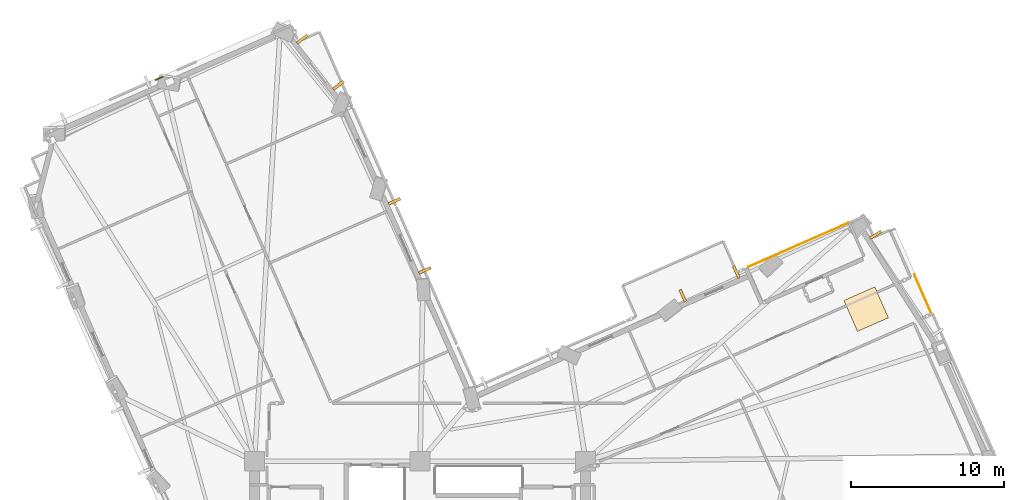
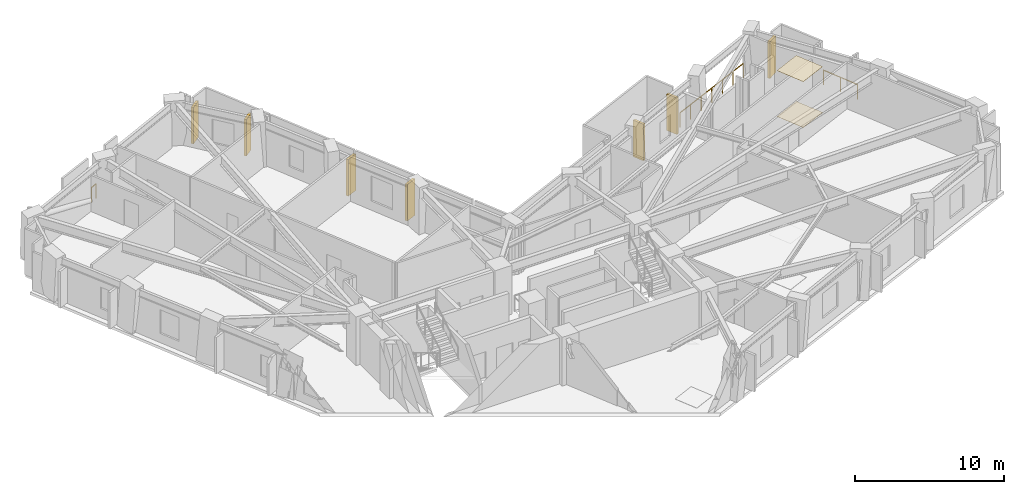
# One storey, part 14 of 15: 7 shading devices, 3 railings, 2 coverings.
"""IFC4 building model written with IfcOpenShell, lengths in metres."""

from ifc_helpers import new_model, si_unit, direction, frame, origin, origin_2d, place, context, subcontext, project, spatial, rectangle, circle, extrude, material, layer, layer_set, type_object, element, save


model = new_model("IFC4")

# Units and contexts
model_context = context("Model", 3, precision=1e-05, world=origin(), true_north=direction((0.0, 1.0)))
body_context = subcontext(model_context, "Body", "Model", "MODEL_VIEW")
ifc_project = project(units=[si_unit("LENGTHUNIT", "METRE"), si_unit("AREAUNIT", "SQUARE_METRE"), si_unit("VOLUMEUNIT", "CUBIC_METRE"), si_unit("PLANEANGLEUNIT", "RADIAN"), si_unit("MASSUNIT", "GRAM", prefix="KILO")], contexts=[model_context])

# Site, building, storey
site_placement = place(None, origin())
site = spatial("IfcSite", under=ifc_project, at=site_placement, CompositionType="ELEMENT")
building_placement = place(site_placement, origin())
building = spatial("IfcBuilding", under=site, at=building_placement, Name="Gaonmaruhae Medical Tower", CompositionType="ELEMENT")
storey_placement = place(building_placement, frame((0.0, 0.0, 124.39990234375)))
storey = spatial("IfcBuildingStorey", under=building, at=storey_placement, Name="L29", CompositionType="ELEMENT", Elevation=124.39990234375)

# Coverings
ifc_material_1 = material(Name="Acoustic mineral ceiling tile", Category="finish")
ifc_layer_1 = layer(ifc_material_1, 0.02490234375)
ifc_layer_set_1 = layer_set([ifc_layer_1], Name="Acoustic mineral ceiling tile")
covering_type_1 = type_object("IfcCoveringType", Name="CLG-01 Antimicrobial Acoustic Mineral Ceiling", PredefinedType="CEILING", material=ifc_layer_set_1)
covering_1_placement = place(storey_placement, frame((53.888671875, 26.721435546875, 3.755126953125), z_axis=(0.0, 0.0, 1.0), x_axis=(0.915311479119, 0.402746689859, 0.0)))
element("IfcCovering", 1, at=covering_1_placement, inside=storey, type_object=covering_type_1, Name="L29 Clinical Corridor Acoustic Ceiling", PredefinedType="CEILING", context=body_context, shape_type="SweptSolid", body=[
    extrude(rectangle(XDim=2.199951171875, YDim=2.199951171875, at=origin_2d()), origin(), (0.0, 0.0, 1.0), 0.02490234375),
])
ifc_material_2 = material(Name="Seamless clinical vinyl flooring", Category="finish")
ifc_layer_2 = layer(ifc_material_2, 0.014892578125)
ifc_layer_set_2 = layer_set([ifc_layer_2], Name="Seamless clinical vinyl flooring")
covering_type_2 = type_object("IfcCoveringType", Name="FLR-01 Seamless Clinical Antistatic Vinyl Flooring", PredefinedType="FLOORING", material=ifc_layer_set_2)
covering_2_placement = place(storey_placement, frame((53.888671875, 26.721435546875, 0.00048828125), z_axis=(0.0, 0.0, 1.0), x_axis=(0.915311479119, 0.402746689859, 0.0)))
element("IfcCovering", 2, at=covering_2_placement, inside=storey, type_object=covering_type_2, Name="L29 Clinical Corridor Vinyl Flooring", PredefinedType="FLOORING", context=body_context, shape_type="SweptSolid", body=[
    extrude(rectangle(XDim=2.199951171875, YDim=2.199951171875, at=origin_2d()), origin(), (0.0, 0.0, 1.0), 0.014892578125),
])

# Railings
ifc_material_3 = material(Name="Stainless steel 316L and laminated safety glass", Category="steel")
ifc_layer_3 = layer(ifc_material_3, 0.080078125)
ifc_layer_set_3 = layer_set([ifc_layer_3], Name="Stainless steel 316L and laminated safety glass")
railing_type = type_object("IfcRailingType", Name="GD-120 Outdoor Terrace Safety Glass & Steel Balustrade", PredefinedType="BALUSTRADE", material=ifc_layer_set_3)
railing_1_placement = place(storey_placement, frame((52.777587890625, 32.3642578125, 0.0)))
element("IfcRailing", 3, at=railing_1_placement, inside=storey, type_object=railing_type, Name="L29 Terrace Safety Guard RL-SLB-L29-TER-03", PredefinedType="BALUSTRADE", context=body_context, shape_type="SweptSolid", body=[
    extrude(circle(Radius=0.02392578125, at=origin_2d()), frame((0.0, 0.0, 1.17578125), z_axis=(-0.915314032413, -0.402740887007, 0.0), x_axis=(0.402740887007, -0.915314032413, 0.0)), (0.0, 0.0, 1.0), 7.19970703125),
    extrude(circle(Radius=0.02099609375, at=origin_2d()), origin(), (0.0, 0.0, 1.0), 1.15185546875),
    extrude(circle(Radius=0.02099609375, at=origin_2d()), frame((-1.098388671875, -0.4833984375, 0.0)), (0.0, 0.0, 1.0), 1.15185546875),
    extrude(circle(Radius=0.02099609375, at=origin_2d()), frame((-2.19677734375, -0.966552734375, 0.0)), (0.0, 0.0, 1.0), 1.15185546875),
    extrude(circle(Radius=0.02099609375, at=origin_2d()), frame((-3.294921875, -1.44970703125, 0.0)), (0.0, 0.0, 1.0), 1.15185546875),
    extrude(circle(Radius=0.02099609375, at=origin_2d()), frame((-4.393310546875, -1.93310546875, 0.0)), (0.0, 0.0, 1.0), 1.15185546875),
    extrude(circle(Radius=0.02099609375, at=origin_2d()), frame((-5.49169921875, -2.41650390625, 0.0)), (0.0, 0.0, 1.0), 1.15185546875),
    extrude(circle(Radius=0.02099609375, at=origin_2d()), frame((-6.590087890625, -2.899658203125, 0.0)), (0.0, 0.0, 1.0), 1.15185546875),
])
railing_2_placement = place(storey_placement, frame((57.03173828125, 28.97802734375, 0.0)))
element("IfcRailing", 4, at=railing_2_placement, inside=storey, type_object=railing_type, Name="L29 Perimeter Slab Edge Safety Balustrade 02", PredefinedType="BALUSTRADE", context=body_context, shape_type="SweptSolid", body=[
    extrude(circle(Radius=0.02392578125, at=origin_2d()), frame((0.0, 0.0, 1.17578125), z_axis=(0.40270402506, -0.915330250894, 0.0), x_axis=(0.915330250894, 0.40270402506, 0.0)), (0.0, 0.0, 1.0), 2.83837890625),
    extrude(circle(Radius=0.02099609375, at=origin_2d()), origin(), (0.0, 0.0, 1.0), 1.15185546875),
    extrude(circle(Radius=0.02099609375, at=origin_2d()), frame((0.571533203125, -1.299072265625, 0.0)), (0.0, 0.0, 1.0), 1.15185546875),
    extrude(circle(Radius=0.02099609375, at=origin_2d()), frame((1.14306640625, -2.59814453125, 0.0)), (0.0, 0.0, 1.0), 1.15185546875),
])
railing_3_placement = place(storey_placement, frame((7.555908203125, 41.66943359375, 0.0)))
element("IfcRailing", 5, at=railing_3_placement, inside=storey, type_object=railing_type, Name="L29 Perimeter Slab Edge Safety Balustrade 03", PredefinedType="BALUSTRADE", context=body_context, shape_type="SweptSolid", body=[
    extrude(circle(Radius=0.02392578125, at=origin_2d()), frame((0.0, 0.0, 1.17578125), z_axis=(0.91534287348, 0.402675333202, 0.0), x_axis=(-0.402675333202, 0.91534287348, 0.0)), (0.0, 0.0, 1.0), 0.51708984375),
    extrude(circle(Radius=0.02099609375, at=origin_2d()), origin(), (0.0, 0.0, 1.0), 1.15185546875),
    extrude(circle(Radius=0.02099609375, at=origin_2d()), frame((0.473388671875, 0.208251953125, 0.0)), (0.0, 0.0, 1.0), 1.15185546875),
])

# Shading devices
ifc_material_4 = material(Name="Pigmented coral precast concrete C45/55", Category="concrete")
shading_device_type = type_object("IfcShadingDeviceType", Name="SD-FIN1 Tower Vertical Coral Precast Shading Fin", PredefinedType="USERDEFINED", material=ifc_material_4)
for number, where, z_axis, x_axis, name in (
    (6, (54.502197265625, 31.566162109375, 0.08251953125), (0.0, 0.0, 1.0), (0.537902988992, -0.843006746375, 0.0), "L29 Vertical Coral Precast Shading Fin E02"),
    (7, (41.927734375, 27.606689453125, 0.072509765625), (0.0, 0.0, 1.0), (0.915311479119, 0.402746689859, 0.0), "L29 Vertical Coral Precast Shading Fin EN01"),
    (8, (45.421630859375, 29.14404296875, 0.072509765625), (0.0, 0.0, 1.0), (0.915311479119, 0.402746689859, 0.0), "L29 Vertical Coral Precast Shading Fin EN01B"),
    (9, (23.123291015625, 33.75, 0.08251953125), (0.0, 0.0, 1.0), (0.402730714598, -0.915318508236, 0.0), "L29 Vertical Coral Precast Shading Fin NE01"),
    (10, (25.105712890625, 29.243896484375, 0.08251953125), (0.0, 0.0, 1.0), (0.402730714598, -0.915318508236, 0.0), "L29 Vertical Coral Precast Shading Fin NE01B"),
    (11, (17.110595703125, 44.32958984375, 0.08251953125), (0.0, 0.0, 1.0), (0.617461557626, -0.786601058259, 0.0), "L29 Vertical Coral Precast Shading Fin NE03"),
    (12, (19.474609375, 41.318115234375, 0.08251953125), (0.0, 0.0, 1.0), (0.617461557626, -0.786601058259, 0.0), "L29 Vertical Coral Precast Shading Fin NE03B"),
):
    element("IfcShadingDevice", number, at=place(storey_placement, frame(where, z_axis=z_axis, x_axis=x_axis)), inside=storey, type_object=shading_device_type, Name=name, ObjectType="FIN", PredefinedType="USERDEFINED", context=body_context, shape_type="SweptSolid", body=[
        extrude(rectangle(XDim=0.179931640625, YDim=0.85009765625, at=origin_2d()), origin(), (0.0, 0.0, 1.0), 3.0),
    ])

save(model, "model.ifc")
